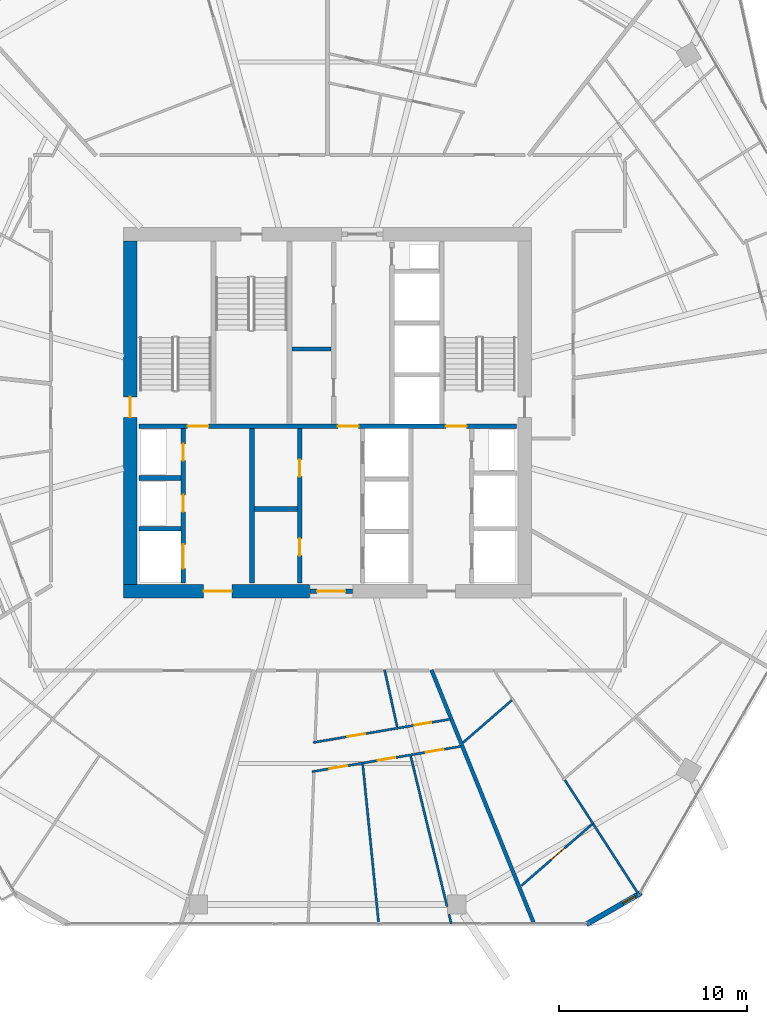
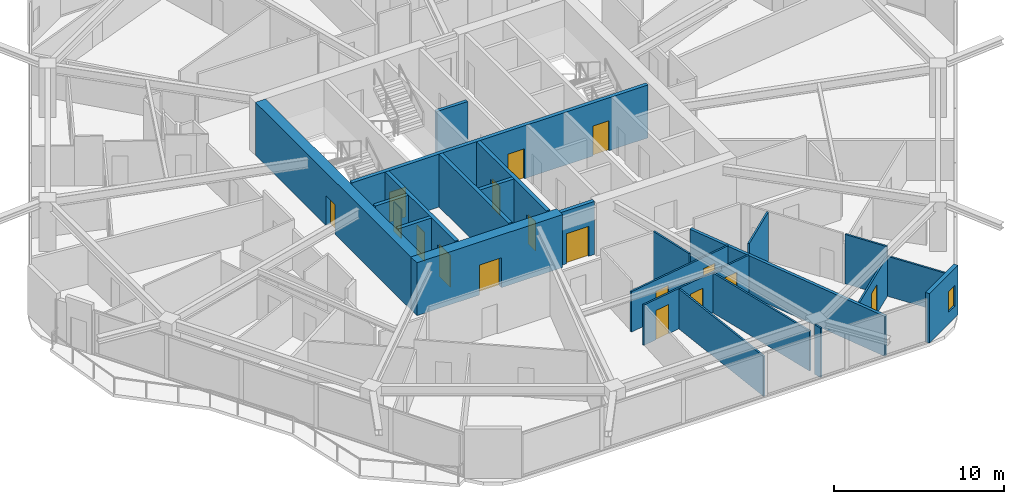
# One storey, part 19 of 26: 23 walls, 17 doors, 1 window, 18 openings.
"""IFC4 building model written with IfcOpenShell, lengths in metres."""

from ifc_helpers import new_model, si_unit, direction, frame, frame_2d, origin, place, context, subcontext, project, spatial, rectangle, extrude, material, layer, layer_set, type_object, element, fill, save


model = new_model("IFC4")

# Units and contexts
model_context = context("Model", 3, precision=1e-05, world=origin(), true_north=direction((0.0, 1.0)))
body_context = subcontext(model_context, "Body", "Model", "MODEL_VIEW")
ifc_project = project(units=[si_unit("LENGTHUNIT", "METRE"), si_unit("AREAUNIT", "SQUARE_METRE"), si_unit("VOLUMEUNIT", "CUBIC_METRE"), si_unit("PLANEANGLEUNIT", "RADIAN"), si_unit("MASSUNIT", "GRAM", prefix="KILO")], contexts=[model_context])

# Site, building, storey
site_placement = place(None, origin())
site = spatial("IfcSite", under=ifc_project, at=site_placement, CompositionType="ELEMENT")
building_placement = place(site_placement, origin())
building = spatial("IfcBuilding", under=site, at=building_placement, Name="Zuhravey Tower", CompositionType="ELEMENT")
storey_placement = place(building_placement, frame((0.0, 0.0, 158.0)))
storey = spatial("IfcBuildingStorey", under=building, at=storey_placement, Name="L39", CompositionType="ELEMENT", Elevation=158.0)

# Wall, opening, door
ifc_material_1 = material(Name="Concrete C60/75", Category="concrete")
ifc_layer_1 = layer(ifc_material_1, 0.699951171875)
ifc_layer_set_1 = layer_set([ifc_layer_1], Name="Concrete C60/75")
wall_type_1 = type_object("IfcWallType", Name="Core Shear Wall 700", PredefinedType="SHEAR", material=ifc_layer_set_1)
wall_1_placement = place(storey_placement, frame((25.14990234375, 22.5, 0.0), z_axis=(0.0, 0.0, 1.0), x_axis=(1.0, 0.0, 0.0)))
wall_1 = element("IfcWall", 1, at=wall_1_placement, inside=storey, type_object=wall_type_1, Name="L39 South-West Core Shear Wall CW70", PredefinedType="SHEAR", context=body_context, shape_type="SweptSolid", body=[
    extrude(rectangle(XDim=9.900146484375, YDim=0.699951171875, at=frame_2d((4.9501953125, 0.0))), origin(), (0.0, 0.0, 1.0), 3.800048828125),
])
opening_1_placement = place(wall_1_placement, frame((4.25, 0.0, 0.0)))
opening_1 = element("IfcOpeningElement", 2, at=opening_1_placement, cuts=wall_1, Name="Opening FFD1", PredefinedType="OPENING", context=body_context, shape_type="SweptSolid", body=[
    extrude(rectangle(XDim=1.5, YDim=2.14990234375, at=frame_2d((0.75, 1.074951171875))), frame((0.0, 0.362060546875, 0.0), z_axis=(0.0, -1.0, 0.0), x_axis=(1.0, 0.0, 0.0)), (0.0, 0.0, 1.0), 0.723876953125),
])
ifc_material_2 = material(Name="Galvanised fire-rated steel leaf", Category="steel")
door_type_1 = type_object("IfcDoorType", Name="Firefighting Lobby Double Door 1500x2150", OperationType="DOUBLE_DOOR_SINGLE_SWING", PredefinedType="DOOR", material=ifc_material_2)
door_1_placement = place(opening_1_placement, origin())
door_1 = element("IfcDoor", 3, at=door_1_placement, inside=storey, type_object=door_type_1, Name="L39 Firefighting Lobby West Door", OperationType="DOUBLE_DOOR_SINGLE_SWING", OverallHeight=2.14990234375, OverallWidth=1.5, PredefinedType="DOOR", context=body_context, shape_type="SweptSolid", body=[
    extrude(rectangle(XDim=1.5, YDim=2.14990234375, at=frame_2d((0.75, 1.074951171875))), frame((0.0, 0.02490234375, 0.0), z_axis=(0.0, -1.0, 0.0), x_axis=(1.0, 0.0, 0.0)), (0.0, 0.0, 1.0), 0.050048828125),
])
fill(opening_1, door_1)

wall_2_placement = place(storey_placement, frame((25.5, 22.85009765625, 0.0), z_axis=(0.0, 0.0, 1.0), x_axis=(0.0, 1.0, 0.0)))
wall_2 = element("IfcWall", 4, at=wall_2_placement, inside=storey, type_object=wall_type_1, Name="L39 West Core Shear Wall CW70", PredefinedType="SHEAR", context=body_context, shape_type="SweptSolid", body=[
    extrude(rectangle(XDim=18.2998046875, YDim=0.699951171875, at=frame_2d((9.14990234375, 0.0))), origin(), (0.0, 0.0, 1.0), 3.800048828125),
])
opening_2_placement = place(wall_2_placement, frame((8.89990234375, 0.0, 0.0)))
opening_2 = element("IfcOpeningElement", 5, at=opening_2_placement, cuts=wall_2, Name="Opening STD1", PredefinedType="OPENING", context=body_context, shape_type="SweptSolid", body=[
    extrude(rectangle(XDim=1.10009765625, YDim=2.14990234375, at=frame_2d((0.550048828125, 1.074951171875))), frame((0.0, 0.362060546875, 0.0), z_axis=(0.0, -1.0, 0.0), x_axis=(1.0, 0.0, 0.0)), (0.0, 0.0, 1.0), 0.723876953125),
])
door_type_2 = type_object("IfcDoorType", Name="Protected Stair Fire Door 1100x2150", OperationType="NOTDEFINED", PredefinedType="USERDEFINED", material=ifc_material_2)
door_2_placement = place(opening_2_placement, frame((1.10009765625, 0.0, 0.0), z_axis=(0.0, 0.0, 1.0), x_axis=(-1.0, 0.0, 0.0)))
door_2 = element("IfcDoor", 6, at=door_2_placement, inside=storey, type_object=door_type_2, Name="L39 Stair ST1 Door", ObjectType="EXITDOOR", OperationType="SINGLE_SWING_LEFT", OverallHeight=2.14990234375, OverallWidth=1.10009765625, PredefinedType="USERDEFINED", context=body_context, shape_type="SweptSolid", body=[
    extrude(rectangle(XDim=1.10009765625, YDim=2.14990234375, at=frame_2d((0.550048828125, 1.074951171875))), frame((0.0, 0.02490234375, 0.0), z_axis=(0.0, -1.0, 0.0), x_axis=(1.0, 0.0, 0.0)), (0.0, 0.0, 1.0), 0.050048828125),
])
fill(opening_2, door_2)

# Wall, opening, window
ifc_material_3 = material(Name="Precast concrete C40/50", Category="concrete")
ifc_layer_2 = layer(ifc_material_3, 0.280029296875)
ifc_layer_set_2 = layer_set([ifc_layer_2], Name="Precast concrete C40/50")
wall_type_2 = type_object("IfcWallType", Name="Crown Architectural Wall 280", PredefinedType="SOLIDWALL", material=ifc_layer_set_2)
wall_3_placement = place(storey_placement, frame((52.693115234375, 6.451904296875, 0.0), z_axis=(0.0, 0.0, 1.0), x_axis=(-0.866020068361, -0.500009241111, 0.0)))
wall_3 = element("IfcWall", 7, at=wall_3_placement, inside=storey, type_object=wall_type_2, Name="L39 Rounded Corner Closure Wall EW28-02", PredefinedType="SOLIDWALL", context=body_context, shape_type="SweptSolid", body=[
    extrude(rectangle(XDim=3.365234375, YDim=0.280029296875, at=frame_2d((1.6826171875, 0.0))), origin(), (0.0, 0.0, 1.0), 3.550048828125),
])
opening_3_placement = place(wall_3_placement, frame((0.375244140625, 0.0, 0.85009765625)))
opening_3 = element("IfcOpeningElement", 8, at=opening_3_placement, cuts=wall_3, Name="Opening WN5", PredefinedType="OPENING", context=body_context, shape_type="SweptSolid", body=[
    extrude(rectangle(XDim=0.75, YDim=1.5, at=frame_2d((0.375, 0.75))), frame((0.0, 0.152099609375, 0.0), z_axis=(0.0, -1.0, 0.0), x_axis=(1.0, 0.0, 0.0)), (0.0, 0.0, 1.0), 0.303955078125),
])
ifc_material_4 = material(Name="Thermally broken aluminium and triple low-E glass", Category="aluminium")
window_type = type_object("IfcWindowType", Name="Residential Corner Casement Window 750x1500", PartitioningType="SINGLE_PANEL", PredefinedType="WINDOW", material=ifc_material_4)
window_placement = place(opening_3_placement, origin())
window = element("IfcWindow", 9, at=window_placement, inside=storey, type_object=window_type, Name="L39 Corner Casement Window WN5-02.1", OverallHeight=1.5, OverallWidth=0.75, PartitioningType="SINGLE_PANEL", PredefinedType="WINDOW", context=body_context, shape_type="SweptSolid", body=[
    extrude(rectangle(XDim=0.75, YDim=1.5, at=frame_2d((0.375, 0.75))), frame((0.0, 0.030029296875, 0.0), z_axis=(0.0, -1.0, 0.0), x_axis=(1.0, 0.0, 0.0)), (0.0, 0.0, 1.0), 0.06005859375),
])
fill(opening_3, window)

# Wall, opening, door
ifc_material_5 = material(Name="Concrete C50/60", Category="concrete")
ifc_layer_3 = layer(ifc_material_5, 0.25)
ifc_layer_set_3 = layer_set([ifc_layer_3], Name="Concrete C50/60")
wall_type_3 = type_object("IfcWallType", Name="Firefighting Shaft & Stair Wall 250", PredefinedType="SOLIDWALL", material=ifc_layer_set_3)
wall_4_placement = place(storey_placement, frame((35.06005859375, 22.5, 0.0), z_axis=(0.0, 0.0, 1.0), x_axis=(1.0, 0.0, 0.0)))
wall_4 = element("IfcWall", 10, at=wall_4_placement, inside=storey, type_object=wall_type_3, Name="L39 FW25 Shaft Wall 001", PredefinedType="SOLIDWALL", context=body_context, shape_type="SweptSolid", body=[
    extrude(rectangle(XDim=2.280029296875, YDim=0.25, at=frame_2d((1.14013671875, 0.0))), origin(), (0.0, 0.0, 1.0), 3.800048828125),
])
opening_4_placement = place(wall_4_placement, frame((0.389892578125, 0.0, 0.0)))
opening_4 = element("IfcOpeningElement", 11, at=opening_4_placement, cuts=wall_4, Name="Opening FFD1", PredefinedType="OPENING", context=body_context, shape_type="SweptSolid", body=[
    extrude(rectangle(XDim=1.5, YDim=2.14990234375, at=frame_2d((0.75, 1.074951171875))), frame((0.0, 0.136962890625, 0.0), z_axis=(0.0, -1.0, 0.0), x_axis=(1.0, 0.0, 0.0)), (0.0, 0.0, 1.0), 0.27392578125),
])
door_3_placement = place(opening_4_placement, frame((1.5, 0.0, 0.0), z_axis=(0.0, 0.0, 1.0), x_axis=(-1.0, 0.0, 0.0)))
door_3 = element("IfcDoor", 12, at=door_3_placement, inside=storey, type_object=door_type_1, Name="L39 South Lift Lobby Exit Door", OperationType="DOUBLE_DOOR_SINGLE_SWING", OverallHeight=2.14990234375, OverallWidth=1.5, PredefinedType="DOOR", context=body_context, shape_type="SweptSolid", body=[
    extrude(rectangle(XDim=1.5, YDim=2.14990234375, at=frame_2d((0.75, 1.074951171875))), frame((0.0, 0.02490234375, 0.0), z_axis=(0.0, -1.0, 0.0), x_axis=(1.0, 0.0, 0.0)), (0.0, 0.0, 1.0), 0.050048828125),
])
fill(opening_4, door_3)

# Wall, openings, doors
wall_5_placement = place(storey_placement, frame((25.949951171875, 31.27490234375, 0.0), z_axis=(0.0, 0.0, 1.0), x_axis=(1.0, 0.0, 0.0)))
wall_5 = element("IfcWall", 13, at=wall_5_placement, inside=storey, type_object=wall_type_3, Name="L39 FW25 Shaft Wall 003", PredefinedType="SOLIDWALL", context=body_context, shape_type="SweptSolid", body=[
    extrude(rectangle(XDim=20.10009765625, YDim=0.25, at=frame_2d((10.050048828125, 0.0))), origin(), (0.0, 0.0, 1.0), 3.800048828125),
])
opening_5_placement = place(wall_5_placement, frame((2.60009765625, 0.0, 0.0)))
opening_5 = element("IfcOpeningElement", 14, at=opening_5_placement, cuts=wall_5, Name="Opening STD1", PredefinedType="OPENING", context=body_context, shape_type="SweptSolid", body=[
    extrude(rectangle(XDim=1.10009765625, YDim=2.14990234375, at=frame_2d((0.550048828125, 1.074951171875))), frame((0.0, 0.136962890625, 0.0), z_axis=(0.0, -1.0, 0.0), x_axis=(1.0, 0.0, 0.0)), (0.0, 0.0, 1.0), 0.27392578125),
])
opening_6_placement = place(wall_5_placement, frame((10.60009765625, 0.0, 0.0)))
opening_6 = element("IfcOpeningElement", 15, at=opening_6_placement, cuts=wall_5, Name="Opening STD1", PredefinedType="OPENING", context=body_context, shape_type="SweptSolid", body=[
    extrude(rectangle(XDim=1.10009765625, YDim=2.14990234375, at=frame_2d((0.550048828125, 1.074951171875))), frame((0.0, 0.136962890625, 0.0), z_axis=(0.0, -1.0, 0.0), x_axis=(1.0, 0.0, 0.0)), (0.0, 0.0, 1.0), 0.27392578125),
])
opening_7_placement = place(wall_5_placement, frame((16.35009765625, 0.0, 0.0)))
opening_7 = element("IfcOpeningElement", 16, at=opening_7_placement, cuts=wall_5, Name="Opening STD1", PredefinedType="OPENING", context=body_context, shape_type="SweptSolid", body=[
    extrude(rectangle(XDim=1.10009765625, YDim=2.14990234375, at=frame_2d((0.550048828125, 1.074951171875))), frame((0.0, 0.136962890625, 0.0), z_axis=(0.0, -1.0, 0.0), x_axis=(1.0, 0.0, 0.0)), (0.0, 0.0, 1.0), 0.27392578125),
])
door_4_placement = place(opening_5_placement, origin())
door_4 = element("IfcDoor", 17, at=door_4_placement, inside=storey, type_object=door_type_2, Name="L39 FFL-W to ST1 Door", ObjectType="EXITDOOR", OperationType="SINGLE_SWING_RIGHT", OverallHeight=2.14990234375, OverallWidth=1.10009765625, PredefinedType="USERDEFINED", context=body_context, shape_type="SweptSolid", body=[
    extrude(rectangle(XDim=1.10009765625, YDim=2.14990234375, at=frame_2d((0.550048828125, 1.074951171875))), frame((0.0, 0.02490234375, 0.0), z_axis=(0.0, -1.0, 0.0), x_axis=(1.0, 0.0, 0.0)), (0.0, 0.0, 1.0), 0.050048828125),
])
fill(opening_5, door_4)
door_5_placement = place(opening_6_placement, origin())
door_5 = element("IfcDoor", 18, at=door_5_placement, inside=storey, type_object=door_type_2, Name="L39 Core Lobby Link Door", ObjectType="EXITDOOR", OperationType="SINGLE_SWING_LEFT", OverallHeight=2.14990234375, OverallWidth=1.10009765625, PredefinedType="USERDEFINED", context=body_context, shape_type="SweptSolid", body=[
    extrude(rectangle(XDim=1.10009765625, YDim=2.14990234375, at=frame_2d((0.550048828125, 1.074951171875))), frame((0.0, 0.02490234375, 0.0), z_axis=(0.0, -1.0, 0.0), x_axis=(1.0, 0.0, 0.0)), (0.0, 0.0, 1.0), 0.050048828125),
])
fill(opening_6, door_5)
door_6_placement = place(opening_7_placement, origin())
door_6 = element("IfcDoor", 19, at=door_6_placement, inside=storey, type_object=door_type_2, Name="L39 FFL-E to ST2 Door", ObjectType="EXITDOOR", OperationType="SINGLE_SWING_RIGHT", OverallHeight=2.14990234375, OverallWidth=1.10009765625, PredefinedType="USERDEFINED", context=body_context, shape_type="SweptSolid", body=[
    extrude(rectangle(XDim=1.10009765625, YDim=2.14990234375, at=frame_2d((0.550048828125, 1.074951171875))), frame((0.0, 0.02490234375, 0.0), z_axis=(0.0, -1.0, 0.0), x_axis=(1.0, 0.0, 0.0)), (0.0, 0.0, 1.0), 0.050048828125),
])
fill(opening_7, door_6)

# Walls
for number, where, z_axis, x_axis, name in (
    (20, (25.949951171875, 25.824951171875, 0.0), (0.0, 0.0, 1.0), (1.0, 0.0, 0.0), "L39 FW25 Shaft Wall 009"),
    (21, (25.949951171875, 28.52490234375, 0.0), (0.0, 0.0, 1.0), (1.0, 0.0, 0.0), "L39 FW25 Shaft Wall 010"),
):
    element("IfcWall", number, at=place(storey_placement, frame(where, z_axis=z_axis, x_axis=x_axis)), inside=storey, type_object=wall_type_3, Name=name, PredefinedType="SOLIDWALL", context=body_context, shape_type="SweptSolid", body=[
        extrude(rectangle(XDim=2.25, YDim=0.25, at=frame_2d((1.125, 0.0))), origin(), (0.0, 0.0, 1.0), 3.800048828125),
    ])

# Wall, openings, doors
wall_6_placement = place(storey_placement, frame((28.324951171875, 22.949951171875, 0.0), z_axis=(0.0, 0.0, 1.0), x_axis=(0.0, 1.0, 0.0)))
wall_6 = element("IfcWall", 22, at=wall_6_placement, inside=storey, type_object=wall_type_3, Name="L39 FW25 Shaft Wall 011", PredefinedType="SOLIDWALL", context=body_context, shape_type="SweptSolid", body=[
    extrude(rectangle(XDim=8.199951171875, YDim=0.25, at=frame_2d((4.10009765625, 0.0))), origin(), (0.0, 0.0, 1.0), 3.800048828125),
])
opening_8_placement = place(wall_6_placement, frame((0.75, 0.0, 0.0)))
opening_8 = element("IfcOpeningElement", 23, at=opening_8_placement, cuts=wall_6, Name="Opening LD2", PredefinedType="OPENING", context=body_context, shape_type="SweptSolid", body=[
    extrude(rectangle(XDim=1.300048828125, YDim=2.300048828125, at=frame_2d((0.64990234375, 1.14990234375))), frame((0.0, 0.136962890625, 0.0), z_axis=(0.0, -1.0, 0.0), x_axis=(1.0, 0.0, 0.0)), (0.0, 0.0, 1.0), 0.27392578125),
])
opening_9_placement = place(wall_6_placement, frame((3.780029296875, 0.0, 0.0)))
opening_9 = element("IfcOpeningElement", 24, at=opening_9_placement, cuts=wall_6, Name="Opening RSD1", PredefinedType="OPENING", context=body_context, shape_type="SweptSolid", body=[
    extrude(rectangle(XDim=0.89990234375, YDim=2.10009765625, at=frame_2d((0.449951171875, 1.050048828125))), frame((0.0, 0.136962890625, 0.0), z_axis=(0.0, -1.0, 0.0), x_axis=(1.0, 0.0, 0.0)), (0.0, 0.0, 1.0), 0.27392578125),
])
opening_10_placement = place(wall_6_placement, frame((6.5, 0.0, 0.0)))
opening_10 = element("IfcOpeningElement", 25, at=opening_10_placement, cuts=wall_6, Name="Opening RSD1", PredefinedType="OPENING", context=body_context, shape_type="SweptSolid", body=[
    extrude(rectangle(XDim=0.89990234375, YDim=2.10009765625, at=frame_2d((0.449951171875, 1.050048828125))), frame((0.0, 0.136962890625, 0.0), z_axis=(0.0, -1.0, 0.0), x_axis=(1.0, 0.0, 0.0)), (0.0, 0.0, 1.0), 0.27392578125),
])
ifc_material_6 = material(Name="Brushed stainless steel", Category="steel")
door_type_3 = type_object("IfcDoorType", Name="Freight & Stretcher Lift Sliding Door 1300x2300", OperationType="DOUBLE_DOOR_SLIDING", PredefinedType="DOOR", material=ifc_material_6)
door_7_placement = place(opening_8_placement, frame((1.300048828125, 0.0, 0.0), z_axis=(0.0, 0.0, 1.0), x_axis=(-1.0, 0.0, 0.0)))
door_7 = element("IfcDoor", 26, at=door_7_placement, inside=storey, type_object=door_type_3, Name="L39 Lift FF1 Landing Door", OperationType="DOUBLE_DOOR_SLIDING", OverallHeight=2.300048828125, OverallWidth=1.300048828125, PredefinedType="DOOR", context=body_context, shape_type="SweptSolid", body=[
    extrude(rectangle(XDim=1.300048828125, YDim=2.300048828125, at=frame_2d((0.64990234375, 1.14990234375))), frame((0.0, 0.02490234375, 0.0), z_axis=(0.0, -1.0, 0.0), x_axis=(1.0, 0.0, 0.0)), (0.0, 0.0, 1.0), 0.050048828125),
])
fill(opening_8, door_7)
ifc_material_7 = material(Name="Galvanised fire-rated steel access leaf", Category="steel")
door_type_4 = type_object("IfcDoorType", Name="Riser & Shaft Access Fire Door 900x2100", OperationType="NOTDEFINED", PredefinedType="DOOR", material=ifc_material_7)
door_8_placement = place(opening_9_placement, frame((0.89990234375, 0.0, 0.0), z_axis=(0.0, 0.0, 1.0), x_axis=(-1.0, 0.0, 0.0)))
door_8 = element("IfcDoor", 27, at=door_8_placement, inside=storey, type_object=door_type_4, Name="L39 Electrical Riser Door", OperationType="SINGLE_SWING_RIGHT", OverallHeight=2.10009765625, OverallWidth=0.89990234375, PredefinedType="DOOR", context=body_context, shape_type="SweptSolid", body=[
    extrude(rectangle(XDim=0.89990234375, YDim=2.10009765625, at=frame_2d((0.449951171875, 1.050048828125))), frame((0.0, 0.02490234375, 0.0), z_axis=(0.0, -1.0, 0.0), x_axis=(1.0, 0.0, 0.0)), (0.0, 0.0, 1.0), 0.050048828125),
])
fill(opening_9, door_8)
door_9_placement = place(opening_10_placement, frame((0.89990234375, 0.0, 0.0), z_axis=(0.0, 0.0, 1.0), x_axis=(-1.0, 0.0, 0.0)))
door_9 = element("IfcDoor", 28, at=door_9_placement, inside=storey, type_object=door_type_4, Name="L39 Smoke Shaft Access Door", OperationType="SINGLE_SWING_LEFT", OverallHeight=2.10009765625, OverallWidth=0.89990234375, PredefinedType="DOOR", context=body_context, shape_type="SweptSolid", body=[
    extrude(rectangle(XDim=0.89990234375, YDim=2.10009765625, at=frame_2d((0.449951171875, 1.050048828125))), frame((0.0, 0.02490234375, 0.0), z_axis=(0.0, -1.0, 0.0), x_axis=(1.0, 0.0, 0.0)), (0.0, 0.0, 1.0), 0.050048828125),
])
fill(opening_10, door_9)

# Walls
wall_7_placement = place(storey_placement, frame((31.97509765625, 22.949951171875, 0.0), z_axis=(0.0, 0.0, 1.0), x_axis=(0.0, 1.0, 0.0)))
element("IfcWall", 29, at=wall_7_placement, inside=storey, type_object=wall_type_3, Name="L39 FW25 Shaft Wall 012", PredefinedType="SOLIDWALL", context=body_context, shape_type="SweptSolid", body=[
    extrude(rectangle(XDim=8.199951171875, YDim=0.25, at=frame_2d((4.10009765625, 0.0))), origin(), (0.0, 0.0, 1.0), 3.800048828125),
])
wall_8_placement = place(storey_placement, frame((32.10009765625, 26.875, 0.0), z_axis=(0.0, 0.0, 1.0), x_axis=(1.0, 0.0, 0.0)))
element("IfcWall", 30, at=wall_8_placement, inside=storey, type_object=wall_type_3, Name="L39 FW25 Shaft Wall 013", PredefinedType="SOLIDWALL", context=body_context, shape_type="SweptSolid", body=[
    extrude(rectangle(XDim=2.2998046875, YDim=0.25, at=frame_2d((1.14990234375, 0.0))), origin(), (0.0, 0.0, 1.0), 3.800048828125),
])

# Wall, openings, doors
wall_9_placement = place(storey_placement, frame((34.52490234375, 22.949951171875, 0.0), z_axis=(0.0, 0.0, 1.0), x_axis=(0.0, 1.0, 0.0)))
wall_9 = element("IfcWall", 31, at=wall_9_placement, inside=storey, type_object=wall_type_3, Name="L39 FW25 Shaft Wall 014", PredefinedType="SOLIDWALL", context=body_context, shape_type="SweptSolid", body=[
    extrude(rectangle(XDim=8.199951171875, YDim=0.25, at=frame_2d((4.10009765625, 0.0))), origin(), (0.0, 0.0, 1.0), 3.800048828125),
])
opening_11_placement = place(wall_9_placement, frame((1.449951171875, 0.0, 0.0)))
opening_11 = element("IfcOpeningElement", 32, at=opening_11_placement, cuts=wall_9, Name="Opening RSD1", PredefinedType="OPENING", context=body_context, shape_type="SweptSolid", body=[
    extrude(rectangle(XDim=0.89990234375, YDim=2.10009765625, at=frame_2d((0.449951171875, 1.050048828125))), frame((0.0, 0.136962890625, 0.0), z_axis=(0.0, -1.0, 0.0), x_axis=(1.0, 0.0, 0.0)), (0.0, 0.0, 1.0), 0.27392578125),
])
opening_12_placement = place(wall_9_placement, frame((5.64990234375, 0.0, 0.0)))
opening_12 = element("IfcOpeningElement", 33, at=opening_12_placement, cuts=wall_9, Name="Opening RSD1", PredefinedType="OPENING", context=body_context, shape_type="SweptSolid", body=[
    extrude(rectangle(XDim=0.89990234375, YDim=2.10009765625, at=frame_2d((0.449951171875, 1.050048828125))), frame((0.0, 0.136962890625, 0.0), z_axis=(0.0, -1.0, 0.0), x_axis=(1.0, 0.0, 0.0)), (0.0, 0.0, 1.0), 0.27392578125),
])
door_10_placement = place(opening_11_placement, origin())
door_10 = element("IfcDoor", 34, at=door_10_placement, inside=storey, type_object=door_type_4, Name="L39 Housekeeping and Linen Room Door", OperationType="SINGLE_SWING_RIGHT", OverallHeight=2.10009765625, OverallWidth=0.89990234375, PredefinedType="DOOR", context=body_context, shape_type="SweptSolid", body=[
    extrude(rectangle(XDim=0.89990234375, YDim=2.10009765625, at=frame_2d((0.449951171875, 1.050048828125))), frame((0.0, 0.02490234375, 0.0), z_axis=(0.0, -1.0, 0.0), x_axis=(1.0, 0.0, 0.0)), (0.0, 0.0, 1.0), 0.050048828125),
])
fill(opening_11, door_10)
door_11_placement = place(opening_12_placement, origin())
door_11 = element("IfcDoor", 35, at=door_11_placement, inside=storey, type_object=door_type_4, Name="L39 Telecoms Switch Closet Door", OperationType="SINGLE_SWING_LEFT", OverallHeight=2.10009765625, OverallWidth=0.89990234375, PredefinedType="DOOR", context=body_context, shape_type="SweptSolid", body=[
    extrude(rectangle(XDim=0.89990234375, YDim=2.10009765625, at=frame_2d((0.449951171875, 1.050048828125))), frame((0.0, 0.02490234375, 0.0), z_axis=(0.0, -1.0, 0.0), x_axis=(1.0, 0.0, 0.0)), (0.0, 0.0, 1.0), 0.050048828125),
])
fill(opening_12, door_11)

# Walls
ifc_material_8 = material(Name="Gypsum double-stud party assembly")
ifc_layer_4 = layer(ifc_material_8, 0.199951171875)
ifc_layer_set_4 = layer_set([ifc_layer_4], Name="Gypsum double-stud party assembly")
wall_type_4 = type_object("IfcWallType", Name="Inter-Tenancy Party Wall 200", PredefinedType="PARTITIONING", material=ifc_layer_set_4)
wall_10_placement = place(storey_placement, frame((41.531005859375, 18.31005859375, 0.0), z_axis=(0.0, 0.0, 1.0), x_axis=(0.374610610646, -0.92718223149, 0.0)))
element("IfcWall", 36, at=wall_10_placement, inside=storey, type_object=wall_type_4, Name="L39 IW20 Partition 105", PredefinedType="PARTITIONING", context=body_context, shape_type="SweptSolid", body=[
    extrude(rectangle(XDim=14.552978515625, YDim=0.199951171875, at=frame_2d((7.2763671875, 0.0))), origin(), (0.0, 0.0, 1.0), 2.8701171875),
])
ifc_material_9 = material(Name="Gypsum acoustic stud assembly")
ifc_layer_5 = layer(ifc_material_9, 0.219970703125)
ifc_layer_set_5 = layer_set([ifc_layer_5], Name="Gypsum acoustic stud assembly")
wall_type_5 = type_object("IfcWallType", Name="School Acoustic Compartment Wall 220", PredefinedType="PARTITIONING", material=ifc_layer_set_5)
wall_11_placement = place(storey_placement, frame((34.10791015625, 35.39990234375, 0.0), z_axis=(0.0, 0.0, 1.0), x_axis=(1.0, 0.0, 0.0)))
element("IfcWall", 37, at=wall_11_placement, inside=storey, type_object=wall_type_5, Name="L39 IW22 Partition 056", PredefinedType="PARTITIONING", context=body_context, shape_type="SweptSolid", body=[
    extrude(rectangle(XDim=2.083984375, YDim=0.219970703125, at=frame_2d((1.0419921875, 0.0))), origin(), (0.0, 0.0, 1.0), 3.550048828125),
])

# Wall, openings, doors
ifc_material_10 = material(Name="Gypsum metal-stud partition")
ifc_layer_6 = layer(ifc_material_10, 0.1201171875)
ifc_layer_set_6 = layer_set([ifc_layer_6], Name="Gypsum metal-stud partition")
wall_type_6 = type_object("IfcWallType", Name="Unit Internal Partition 120", PredefinedType="PARTITIONING", material=ifc_layer_set_6)
wall_12_placement = place(storey_placement, frame((35.231689453125, 14.444091796875, 0.0), z_axis=(0.0, 0.0, 1.0), x_axis=(0.985819661596, 0.167808208412, 0.0)))
wall_12 = element("IfcWall", 38, at=wall_12_placement, inside=storey, type_object=wall_type_6, Name="L39 IW12 Partition 046", PredefinedType="PARTITIONING", context=body_context, shape_type="SweptSolid", body=[
    extrude(rectangle(XDim=7.40673828125, YDim=0.1201171875, at=frame_2d((3.703369140625, 0.0))), origin(), (0.0, 0.0, 1.0), 2.89990234375),
])
opening_13_placement = place(wall_12_placement, frame((1.85400390625, 0.0, 0.0)))
opening_13 = element("IfcOpeningElement", 39, at=opening_13_placement, cuts=wall_12, Name="Opening IND1", PredefinedType="OPENING", context=body_context, shape_type="SweptSolid", body=[
    extrude(rectangle(XDim=0.949951171875, YDim=2.10009765625, at=frame_2d((0.47509765625, 1.050048828125))), frame((0.0, 0.072021484375, 0.0), z_axis=(0.0, -1.0, 0.0), x_axis=(1.0, 0.0, 0.0)), (0.0, 0.0, 1.0), 0.14404296875),
])
opening_14_placement = place(wall_12_placement, frame((5.480224609375, 0.0, 0.0)))
opening_14 = element("IfcOpeningElement", 40, at=opening_14_placement, cuts=wall_12, Name="Opening WCD1", PredefinedType="OPENING", context=body_context, shape_type="SweptSolid", body=[
    extrude(rectangle(XDim=0.89990234375, YDim=2.10009765625, at=frame_2d((0.449951171875, 1.050048828125))), frame((0.0, 0.072021484375, 0.0), z_axis=(0.0, -1.0, 0.0), x_axis=(1.0, 0.0, 0.0)), (0.0, 0.0, 1.0), 0.14404296875),
])
ifc_material_11 = material(Name="Moisture-resistant timber leaf", Category="wood")
door_type_5 = type_object("IfcDoorType", Name="Bathroom & WC Internal Door 900x2100", OperationType="NOTDEFINED", PredefinedType="DOOR", material=ifc_material_11)
door_12_placement = place(opening_14_placement, origin())
door_12 = element("IfcDoor", 41, at=door_12_placement, inside=storey, type_object=door_type_5, Name="Apartment L39-07 Bathroom Door", OperationType="SINGLE_SWING_RIGHT", OverallHeight=2.10009765625, OverallWidth=0.89990234375, PredefinedType="DOOR", context=body_context, shape_type="SweptSolid", body=[
    extrude(rectangle(XDim=0.89990234375, YDim=2.10009765625, at=frame_2d((0.449951171875, 1.050048828125))), frame((0.0, 0.02490234375, 0.0), z_axis=(0.0, -1.0, 0.0), x_axis=(1.0, 0.0, 0.0)), (0.0, 0.0, 1.0), 0.050048828125),
])
fill(opening_14, door_12)
ifc_material_12 = material(Name="Painted engineered timber leaf", Category="wood")
door_type_6 = type_object("IfcDoorType", Name="Internal Room & Bedroom Door 950x2100", OperationType="NOTDEFINED", PredefinedType="DOOR", material=ifc_material_12)
door_13_placement = place(opening_13_placement, origin())
door_13 = element("IfcDoor", 42, at=door_13_placement, inside=storey, type_object=door_type_6, Name="Apartment L39-07 Kitchen Door", OperationType="SINGLE_SWING_LEFT", OverallHeight=2.10009765625, OverallWidth=0.949951171875, PredefinedType="DOOR", context=body_context, shape_type="SweptSolid", body=[
    extrude(rectangle(XDim=0.949951171875, YDim=2.10009765625, at=frame_2d((0.47509765625, 1.050048828125))), frame((0.0, 0.02490234375, 0.0), z_axis=(0.0, -1.0, 0.0), x_axis=(1.0, 0.0, 0.0)), (0.0, 0.0, 1.0), 0.050048828125),
])
fill(opening_13, door_13)

wall_13_placement = place(storey_placement, frame((35.172607421875, 12.89208984375, 0.0), z_axis=(0.0, 0.0, 1.0), x_axis=(0.985819567417, 0.167808761684, 0.0)))
wall_13 = element("IfcWall", 43, at=wall_13_placement, inside=storey, type_object=wall_type_6, Name="L39 IW12 Partition 047", PredefinedType="PARTITIONING", context=body_context, shape_type="SweptSolid", body=[
    extrude(rectangle(XDim=8.0439453125, YDim=0.1201171875, at=frame_2d((4.02197265625, 0.0))), origin(), (0.0, 0.0, 1.0), 2.89990234375),
])
opening_15_placement = place(wall_13_placement, frame((0.94091796875, 0.0, 0.0)))
opening_15 = element("IfcOpeningElement", 44, at=opening_15_placement, cuts=wall_13, Name="Opening IND1", PredefinedType="OPENING", context=body_context, shape_type="SweptSolid", body=[
    extrude(rectangle(XDim=0.949951171875, YDim=2.10009765625, at=frame_2d((0.47509765625, 1.050048828125))), frame((0.0, 0.072021484375, 0.0), z_axis=(0.0, -1.0, 0.0), x_axis=(1.0, 0.0, 0.0)), (0.0, 0.0, 1.0), 0.14404296875),
])
opening_16_placement = place(wall_13_placement, frame((3.547119140625, 0.0, 0.0)))
opening_16 = element("IfcOpeningElement", 45, at=opening_16_placement, cuts=wall_13, Name="Opening IND1", PredefinedType="OPENING", context=body_context, shape_type="SweptSolid", body=[
    extrude(rectangle(XDim=0.949951171875, YDim=2.10009765625, at=frame_2d((0.47509765625, 1.050048828125))), frame((0.0, 0.072021484375, 0.0), z_axis=(0.0, -1.0, 0.0), x_axis=(1.0, 0.0, 0.0)), (0.0, 0.0, 1.0), 0.14404296875),
])
opening_17_placement = place(wall_13_placement, frame((6.153076171875, 0.0, 0.0)))
opening_17 = element("IfcOpeningElement", 46, at=opening_17_placement, cuts=wall_13, Name="Opening IND1", PredefinedType="OPENING", context=body_context, shape_type="SweptSolid", body=[
    extrude(rectangle(XDim=0.949951171875, YDim=2.10009765625, at=frame_2d((0.47509765625, 1.050048828125))), frame((0.0, 0.072021484375, 0.0), z_axis=(0.0, -1.0, 0.0), x_axis=(1.0, 0.0, 0.0)), (0.0, 0.0, 1.0), 0.14404296875),
])
door_14_placement = place(opening_15_placement, frame((0.949951171875, 0.0, 0.0), z_axis=(0.0, 0.0, 1.0), x_axis=(-1.0, 0.0, 0.0)))
door_14 = element("IfcDoor", 47, at=door_14_placement, inside=storey, type_object=door_type_6, Name="Apartment L39-07 Bedroom 1 Door", OperationType="SINGLE_SWING_LEFT", OverallHeight=2.10009765625, OverallWidth=0.949951171875, PredefinedType="DOOR", context=body_context, shape_type="SweptSolid", body=[
    extrude(rectangle(XDim=0.949951171875, YDim=2.10009765625, at=frame_2d((0.47509765625, 1.050048828125))), frame((0.0, 0.02490234375, 0.0), z_axis=(0.0, -1.0, 0.0), x_axis=(1.0, 0.0, 0.0)), (0.0, 0.0, 1.0), 0.050048828125),
])
fill(opening_15, door_14)
door_15_placement = place(opening_16_placement, frame((0.949951171875, 0.0, 0.0), z_axis=(0.0, 0.0, 1.0), x_axis=(-1.0, 0.0, 0.0)))
door_15 = element("IfcDoor", 48, at=door_15_placement, inside=storey, type_object=door_type_6, Name="Apartment L39-07 Bedroom 2 Door", OperationType="SINGLE_SWING_RIGHT", OverallHeight=2.10009765625, OverallWidth=0.949951171875, PredefinedType="DOOR", context=body_context, shape_type="SweptSolid", body=[
    extrude(rectangle(XDim=0.949951171875, YDim=2.10009765625, at=frame_2d((0.47509765625, 1.050048828125))), frame((0.0, 0.02490234375, 0.0), z_axis=(0.0, -1.0, 0.0), x_axis=(1.0, 0.0, 0.0)), (0.0, 0.0, 1.0), 0.050048828125),
])
fill(opening_16, door_15)
door_16_placement = place(opening_17_placement, frame((0.949951171875, 0.0, 0.0), z_axis=(0.0, 0.0, 1.0), x_axis=(-1.0, 0.0, 0.0)))
door_16 = element("IfcDoor", 49, at=door_16_placement, inside=storey, type_object=door_type_6, Name="Apartment L39-07 Bedroom 3 Door", OperationType="SINGLE_SWING_LEFT", OverallHeight=2.10009765625, OverallWidth=0.949951171875, PredefinedType="DOOR", context=body_context, shape_type="SweptSolid", body=[
    extrude(rectangle(XDim=0.949951171875, YDim=2.10009765625, at=frame_2d((0.47509765625, 1.050048828125))), frame((0.0, 0.02490234375, 0.0), z_axis=(0.0, -1.0, 0.0), x_axis=(1.0, 0.0, 0.0)), (0.0, 0.0, 1.0), 0.050048828125),
])
fill(opening_17, door_16)

# Wall
wall_14_placement = place(storey_placement, frame((48.630126953125, 12.447021484375, 0.0), z_axis=(0.0, 0.0, 1.0), x_axis=(0.5425590103, -0.840017690494, 0.0)))
element("IfcWall", 50, at=wall_14_placement, inside=storey, type_object=wall_type_6, Name="L39 IW12 Partition 052", PredefinedType="PARTITIONING", context=body_context, shape_type="SweptSolid", body=[
    extrude(rectangle(XDim=2.779052734375, YDim=0.1201171875, at=frame_2d((1.3896484375, 0.0))), origin(), (0.0, 0.0, 1.0), 3.550048828125),
])

# Wall, opening, door
wall_15_placement = place(storey_placement, frame((46.319091796875, 6.825927734375, 0.0), z_axis=(0.0, 0.0, 1.0), x_axis=(0.754719650471, 0.656047444315, 0.0)))
wall_15 = element("IfcWall", 51, at=wall_15_placement, inside=storey, type_object=wall_type_6, Name="L39 IW12 Partition 053", PredefinedType="PARTITIONING", context=body_context, shape_type="SweptSolid", body=[
    extrude(rectangle(XDim=4.97314453125, YDim=0.1201171875, at=frame_2d((2.486572265625, 0.0))), origin(), (0.0, 0.0, 1.0), 2.8701171875),
])
opening_18_placement = place(wall_15_placement, frame((2.096435546875, 0.0, 0.0)))
opening_18 = element("IfcOpeningElement", 52, at=opening_18_placement, cuts=wall_15, Name="Opening IND1", PredefinedType="OPENING", context=body_context, shape_type="SweptSolid", body=[
    extrude(rectangle(XDim=0.949951171875, YDim=2.10009765625, at=frame_2d((0.47509765625, 1.050048828125))), frame((0.0, 0.072021484375, 0.0), z_axis=(0.0, -1.0, 0.0), x_axis=(1.0, 0.0, 0.0)), (0.0, 0.0, 1.0), 0.14404296875),
])
door_17_placement = place(opening_18_placement, frame((0.949951171875, 0.0, 0.0), z_axis=(0.0, 0.0, 1.0), x_axis=(-1.0, 0.0, 0.0)))
door_17 = element("IfcDoor", 53, at=door_17_placement, inside=storey, type_object=door_type_6, Name="Apartment L39-08 Bedroom 1 Door", OperationType="SINGLE_SWING_LEFT", OverallHeight=2.10009765625, OverallWidth=0.949951171875, PredefinedType="DOOR", context=body_context, shape_type="SweptSolid", body=[
    extrude(rectangle(XDim=0.949951171875, YDim=2.10009765625, at=frame_2d((0.47509765625, 1.050048828125))), frame((0.0, 0.02490234375, 0.0), z_axis=(0.0, -1.0, 0.0), x_axis=(1.0, 0.0, 0.0)), (0.0, 0.0, 1.0), 0.050048828125),
])
fill(opening_18, door_17)

# Walls
wall_16_placement = place(storey_placement, frame((39.033203125, 18.320068359375, 0.0), z_axis=(0.0, 0.0, 1.0), x_axis=(0.216516027093, -0.976279063594, 0.0)))
element("IfcWall", 54, at=wall_16_placement, inside=storey, type_object=wall_type_6, Name="L39 IW12 Partition 099", PredefinedType="PARTITIONING", context=body_context, shape_type="SweptSolid", body=[
    extrude(rectangle(XDim=3.118896484375, YDim=0.1201171875, at=frame_2d((1.5595703125, 0.0))), origin(), (0.0, 0.0, 1.0), 3.550048828125),
])
wall_17_placement = place(storey_placement, frame((37.87255859375, 13.28271484375, 0.0), z_axis=(0.0, 0.0, 1.0), x_axis=(0.099568986872, -0.995030661263, 0.0)))
element("IfcWall", 55, at=wall_17_placement, inside=storey, type_object=wall_type_6, Name="L39 IW12 Partition 100", PredefinedType="PARTITIONING", context=body_context, shape_type="SweptSolid", body=[
    extrude(rectangle(XDim=8.51806640625, YDim=0.1201171875, at=frame_2d((4.259033203125, 0.0))), origin(), (0.0, 0.0, 1.0), 2.8701171875),
])
wall_18_placement = place(storey_placement, frame((40.42529296875, 13.71728515625, 0.0), z_axis=(0.0, 0.0, 1.0), x_axis=(0.235264736648, -0.971931326633, 0.0)))
element("IfcWall", 56, at=wall_18_placement, inside=storey, type_object=wall_type_6, Name="L39 IW12 Partition 101", PredefinedType="PARTITIONING", context=body_context, shape_type="SweptSolid", body=[
    extrude(rectangle(XDim=8.232177734375, YDim=0.1201171875, at=frame_2d((4.1162109375, 0.0))), origin(), (0.0, 0.0, 1.0), 2.8701171875),
])
wall_19_placement = place(storey_placement, frame((42.4609375, 5.306884765625, 0.0), z_axis=(0.0, 0.0, 1.0), x_axis=(0.23538270084, -0.971902764759, 0.0)))
element("IfcWall", 57, at=wall_19_placement, inside=storey, type_object=wall_type_6, Name="L39 IW12 Partition 102", PredefinedType="PARTITIONING", context=body_context, shape_type="SweptSolid", body=[
    extrude(rectangle(XDim=0.514404296875, YDim=0.1201171875, at=frame_2d((0.25732421875, 0.0))), origin(), (0.0, 0.0, 1.0), 3.550048828125),
])
wall_20_placement = place(storey_placement, frame((50.137939453125, 10.112548828125, 0.0), z_axis=(0.0, 0.0, 1.0), x_axis=(0.54259903081, -0.839991840296, 0.0)))
element("IfcWall", 58, at=wall_20_placement, inside=storey, type_object=wall_type_6, Name="L39 IW12 Partition 108", PredefinedType="PARTITIONING", context=body_context, shape_type="SweptSolid", body=[
    extrude(rectangle(XDim=4.486328125, YDim=0.1201171875, at=frame_2d((2.2431640625, 0.0))), origin(), (0.0, 0.0, 1.0), 2.8701171875),
])
wall_21_placement = place(storey_placement, frame((43.211669921875, 14.438720703125, 0.0), z_axis=(0.0, 0.0, 1.0), x_axis=(0.754711017703, 0.656057375355, 0.0)))
element("IfcWall", 59, at=wall_21_placement, inside=storey, type_object=wall_type_6, Name="L39 IW12 Partition 109", PredefinedType="PARTITIONING", context=body_context, shape_type="SweptSolid", body=[
    extrude(rectangle(XDim=3.4375, YDim=0.1201171875, at=frame_2d((1.71875, 0.0))), origin(), (0.0, 0.0, 1.0), 3.550048828125),
])

save(model, "model.ifc")
